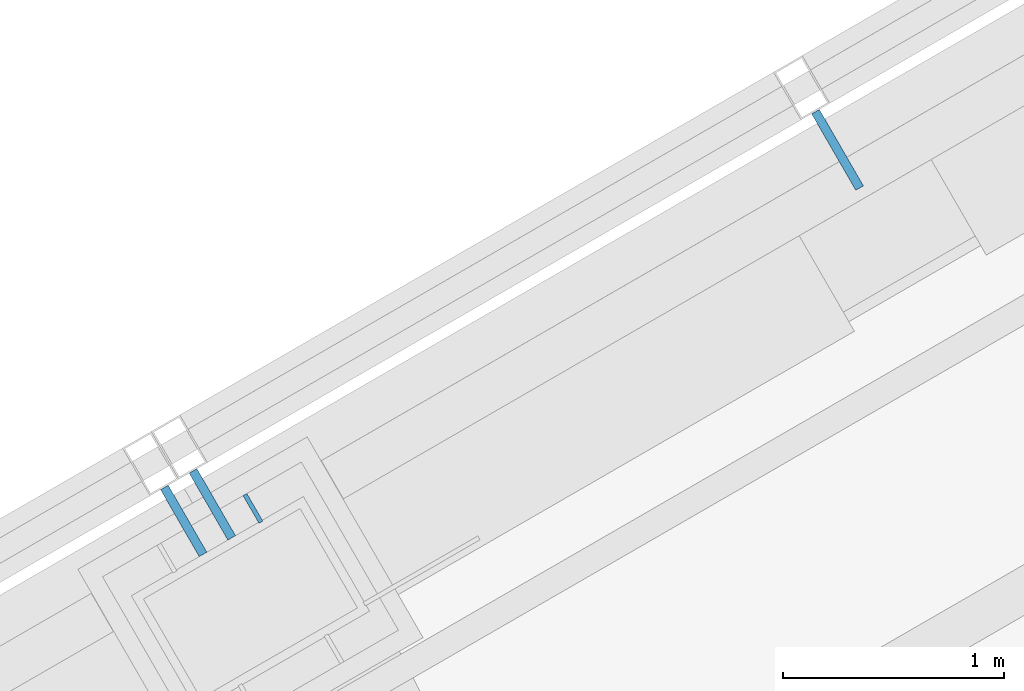
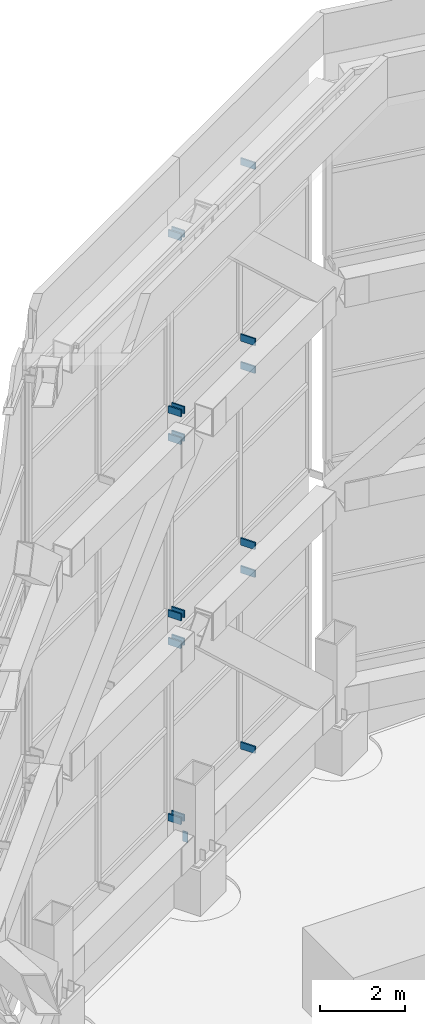
# One storey, part 40 of 46: 19 discrete accessories.
"""IFC4 building model written with IfcOpenShell, lengths in metres."""

from ifc_helpers import new_model, si_unit, direction, frame, origin, origin_2d, place, context, subcontext, project, spatial, rectangle, extrude, material, layer, layer_set, type_object, element, save


model = new_model("IFC4")

# Units and contexts
model_context = context("Model", 3, precision=1e-05, world=origin(), true_north=direction((0.0, 1.0)))
body_context = subcontext(model_context, "Body", "Model", "MODEL_VIEW")
ifc_project = project(units=[si_unit("LENGTHUNIT", "METRE"), si_unit("AREAUNIT", "SQUARE_METRE"), si_unit("VOLUMEUNIT", "CUBIC_METRE"), si_unit("PLANEANGLEUNIT", "RADIAN"), si_unit("MASSUNIT", "GRAM", prefix="KILO")], contexts=[model_context])

# Site, building, storey
site_placement = place(None, origin())
site = spatial("IfcSite", under=ifc_project, at=site_placement, CompositionType="ELEMENT")
building_placement = place(site_placement, origin())
building = spatial("IfcBuilding", under=site, at=building_placement, Name="Vanh Sen Convention Tower", CompositionType="ELEMENT")
storey_placement = place(building_placement, frame((0.0, 0.0, 305.0)))
storey = spatial("IfcBuildingStorey", under=building, at=storey_placement, Name="Roof level", CompositionType="ELEMENT", Elevation=305.0)

# Discrete accessories
ifc_material_1 = material(Name="Steel S355", Category="steel")
ifc_layer = layer(ifc_material_1, 0.02001953125)
ifc_layer_set = layer_set([ifc_layer], Name="Steel S355")
discrete_accessory_type_1 = type_object("IfcDiscreteAccessoryType", Name="Crown base plate stiffener 140 x 300 x 20", PredefinedType="USERDEFINED", material=ifc_layer_set)
discrete_accessory_1_placement = place(storey_placement, frame((-8.623779296875, 17.15380859375, 1.34521484375), z_axis=(0.0, 0.0, 1.0), x_axis=(0.5, -0.866025403784, 0.0)))
element("IfcDiscreteAccessory", 1, at=discrete_accessory_1_placement, inside=storey, type_object=discrete_accessory_type_1, Name="STIFFENER crown column 08 rib 4", ObjectType="STIFFENER", PredefinedType="USERDEFINED", context=body_context, shape_type="SweptSolid", body=[
    extrude(rectangle(XDim=0.14501953125, YDim=0.02001953125, at=origin_2d()), origin(), (0.0, 0.0, 1.0), 0.300048828125),
])
ifc_material_2 = material(Name="Steel S355", Category="steel")
discrete_accessory_type_2 = type_object("IfcDiscreteAccessoryType", Name="Crown screen bracket 40 x 200", PredefinedType="BRACKET", material=ifc_material_2)
discrete_accessory_2_placement = place(storey_placement, frame((-5.974609375, 18.778564453125, 2.044921875), z_axis=(0.0, 0.0, 1.0), x_axis=(-0.500004534492, 0.866022785779, 0.0)))
element("IfcDiscreteAccessory", 2, at=discrete_accessory_2_placement, inside=storey, type_object=discrete_accessory_type_2, Name="Crown screen bracket 07-1-2", PredefinedType="BRACKET", context=body_context, shape_type="SweptSolid", body=[
    extrude(rectangle(XDim=0.39990234375, YDim=0.0400390625, at=origin_2d()), origin(), (0.0, 0.0, 1.0), 0.199951171875),
])
discrete_accessory_3_placement = place(storey_placement, frame((-8.8076171875, 17.171875, 2.044921875), z_axis=(0.0, 0.0, 1.0), x_axis=(-0.500004534492, 0.866022785779, 0.0)))
element("IfcDiscreteAccessory", 3, at=discrete_accessory_3_placement, inside=storey, type_object=discrete_accessory_type_2, Name="Crown screen bracket 07-1-3", PredefinedType="BRACKET", context=body_context, shape_type="SweptSolid", body=[
    extrude(rectangle(XDim=0.35009765625, YDim=0.0400390625, at=origin_2d()), origin(), (0.0, 0.0, 1.0), 0.199951171875),
])
discrete_accessory_4_placement = place(storey_placement, frame((-5.974609375, 18.778564453125, 7.11328125), z_axis=(0.0, 0.0, 1.0), x_axis=(-0.500004534492, 0.866022785779, 0.0)))
element("IfcDiscreteAccessory", 4, at=discrete_accessory_4_placement, inside=storey, type_object=discrete_accessory_type_2, Name="Crown screen bracket 07-1-5", PredefinedType="BRACKET", context=body_context, shape_type="SweptSolid", body=[
    extrude(rectangle(XDim=0.39990234375, YDim=0.0400390625, at=origin_2d()), origin(), (0.0, 0.0, 1.0), 0.199951171875),
])
discrete_accessory_5_placement = place(storey_placement, frame((-8.8076171875, 17.171875, 7.11328125), z_axis=(0.0, 0.0, 1.0), x_axis=(-0.500004534492, 0.866022785779, 0.0)))
element("IfcDiscreteAccessory", 5, at=discrete_accessory_5_placement, inside=storey, type_object=discrete_accessory_type_2, Name="Crown screen bracket 07-1-6", PredefinedType="BRACKET", context=body_context, shape_type="SweptSolid", body=[
    extrude(rectangle(XDim=0.35009765625, YDim=0.0400390625, at=origin_2d()), origin(), (0.0, 0.0, 1.0), 0.199951171875),
])
discrete_accessory_6_placement = place(storey_placement, frame((-5.974609375, 18.778564453125, 7.9130859375), z_axis=(0.0, 0.0, 1.0), x_axis=(-0.500004534492, 0.866022785779, 0.0)))
element("IfcDiscreteAccessory", 6, at=discrete_accessory_6_placement, inside=storey, type_object=discrete_accessory_type_2, Name="Crown screen bracket 07-2-2", PredefinedType="BRACKET", context=body_context, shape_type="SweptSolid", body=[
    extrude(rectangle(XDim=0.39990234375, YDim=0.0400390625, at=origin_2d()), origin(), (0.0, 0.0, 1.0), 0.199951171875),
])
discrete_accessory_7_placement = place(storey_placement, frame((-8.8076171875, 17.171875, 7.9130859375), z_axis=(0.0, 0.0, 1.0), x_axis=(-0.500004534492, 0.866022785779, 0.0)))
element("IfcDiscreteAccessory", 7, at=discrete_accessory_7_placement, inside=storey, type_object=discrete_accessory_type_2, Name="Crown screen bracket 07-2-3", PredefinedType="BRACKET", context=body_context, shape_type="SweptSolid", body=[
    extrude(rectangle(XDim=0.35009765625, YDim=0.0400390625, at=origin_2d()), origin(), (0.0, 0.0, 1.0), 0.199951171875),
])
discrete_accessory_8_placement = place(storey_placement, frame((-5.974609375, 18.778564453125, 12.98193359375), z_axis=(0.0, 0.0, 1.0), x_axis=(-0.500004534492, 0.866022785779, 0.0)))
element("IfcDiscreteAccessory", 8, at=discrete_accessory_8_placement, inside=storey, type_object=discrete_accessory_type_2, Name="Crown screen bracket 07-2-5", PredefinedType="BRACKET", context=body_context, shape_type="SweptSolid", body=[
    extrude(rectangle(XDim=0.39990234375, YDim=0.0400390625, at=origin_2d()), origin(), (0.0, 0.0, 1.0), 0.199951171875),
])
discrete_accessory_9_placement = place(storey_placement, frame((-8.8076171875, 17.171875, 12.98193359375), z_axis=(0.0, 0.0, 1.0), x_axis=(-0.500004534492, 0.866022785779, 0.0)))
element("IfcDiscreteAccessory", 9, at=discrete_accessory_9_placement, inside=storey, type_object=discrete_accessory_type_2, Name="Crown screen bracket 07-2-6", PredefinedType="BRACKET", context=body_context, shape_type="SweptSolid", body=[
    extrude(rectangle(XDim=0.35009765625, YDim=0.0400390625, at=origin_2d()), origin(), (0.0, 0.0, 1.0), 0.199951171875),
])
discrete_accessory_10_placement = place(storey_placement, frame((-5.974609375, 18.778564453125, 13.78173828125), z_axis=(0.0, 0.0, 1.0), x_axis=(-0.500004534492, 0.866022785779, 0.0)))
element("IfcDiscreteAccessory", 10, at=discrete_accessory_10_placement, inside=storey, type_object=discrete_accessory_type_2, Name="Crown screen bracket 07-3-2", PredefinedType="BRACKET", context=body_context, shape_type="SweptSolid", body=[
    extrude(rectangle(XDim=0.39990234375, YDim=0.0400390625, at=origin_2d()), origin(), (0.0, 0.0, 1.0), 0.199951171875),
])
discrete_accessory_11_placement = place(storey_placement, frame((-8.8076171875, 17.171875, 13.78173828125), z_axis=(0.0, 0.0, 1.0), x_axis=(-0.500004534492, 0.866022785779, 0.0)))
element("IfcDiscreteAccessory", 11, at=discrete_accessory_11_placement, inside=storey, type_object=discrete_accessory_type_2, Name="Crown screen bracket 07-3-3", PredefinedType="BRACKET", context=body_context, shape_type="SweptSolid", body=[
    extrude(rectangle(XDim=0.35009765625, YDim=0.0400390625, at=origin_2d()), origin(), (0.0, 0.0, 1.0), 0.199951171875),
])
discrete_accessory_12_placement = place(storey_placement, frame((-5.974609375, 18.778564453125, 18.85009765625), z_axis=(0.0, 0.0, 1.0), x_axis=(-0.500004534492, 0.866022785779, 0.0)))
element("IfcDiscreteAccessory", 12, at=discrete_accessory_12_placement, inside=storey, type_object=discrete_accessory_type_2, Name="Crown screen bracket 07-3-5", PredefinedType="BRACKET", context=body_context, shape_type="SweptSolid", body=[
    extrude(rectangle(XDim=0.39990234375, YDim=0.0400390625, at=origin_2d()), origin(), (0.0, 0.0, 1.0), 0.199951171875),
])
for number, where, z_axis, x_axis, name in (
    (13, (-8.8076171875, 17.171875, 18.85009765625), (0.0, 0.0, 1.0), (-0.500004534492, 0.866022785779, 0.0), "Crown screen bracket 07-3-6"),
    (14, (-8.9375, 17.096923828125, 2.044921875), (0.0, 0.0, 1.0), (-0.500004534492, 0.866022785779, 0.0), "Crown screen bracket 08-1-1"),
    (15, (-8.9375, 17.096923828125, 7.11328125), (0.0, 0.0, 1.0), (-0.500004534492, 0.866022785779, 0.0), "Crown screen bracket 08-1-4"),
    (16, (-8.9375, 17.096923828125, 7.9130859375), (0.0, 0.0, 1.0), (-0.500004534492, 0.866022785779, 0.0), "Crown screen bracket 08-2-1"),
    (17, (-8.9375, 17.096923828125, 12.98193359375), (0.0, 0.0, 1.0), (-0.500004534492, 0.866022785779, 0.0), "Crown screen bracket 08-2-4"),
    (18, (-8.9375, 17.096923828125, 13.78173828125), (0.0, 0.0, 1.0), (-0.500004534492, 0.866022785779, 0.0), "Crown screen bracket 08-3-1"),
    (19, (-8.9375, 17.096923828125, 18.85009765625), (0.0, 0.0, 1.0), (-0.500004534492, 0.866022785779, 0.0), "Crown screen bracket 08-3-4"),
):
    element("IfcDiscreteAccessory", number, at=place(storey_placement, frame(where, z_axis=z_axis, x_axis=x_axis)), inside=storey, type_object=discrete_accessory_type_2, Name=name, PredefinedType="BRACKET", context=body_context, shape_type="SweptSolid", body=[
        extrude(rectangle(XDim=0.35009765625, YDim=0.0400390625, at=origin_2d()), origin(), (0.0, 0.0, 1.0), 0.199951171875),
    ])

save(model, "model.ifc")
